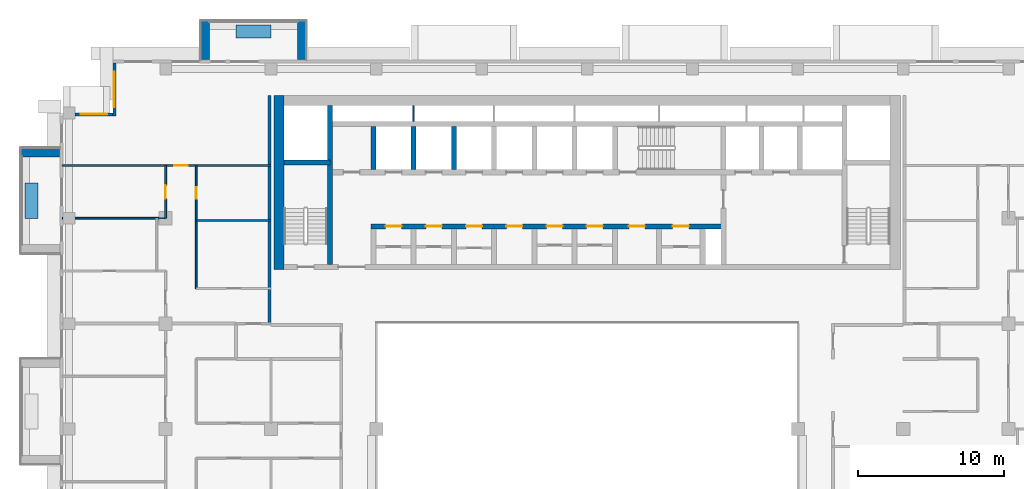
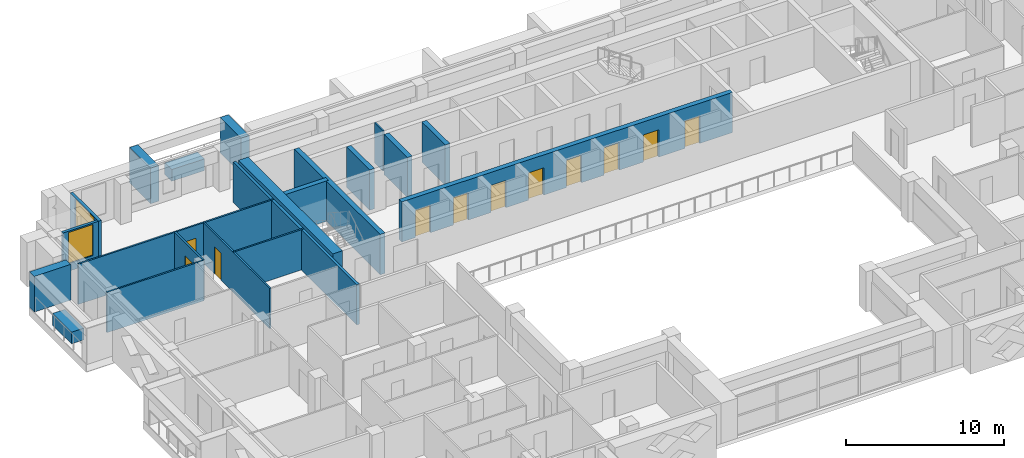
# One storey, part 10 of 20: 21 walls, 11 doors, 2 windows, 13 openings.
"""IFC4 building model written with IfcOpenShell, lengths in metres."""

from ifc_helpers import new_model, si_unit, direction, frame, frame_2d, origin, place, context, subcontext, project, spatial, rectangle, extrude, material, layer, layer_set, type_object, element, fill, save


model = new_model("IFC4")

# Units and contexts
model_context = context("Model", 3, precision=1e-05, world=origin(), true_north=direction((0.0, 1.0)))
body_context = subcontext(model_context, "Body", "Model", "MODEL_VIEW")
ifc_project = project(units=[si_unit("LENGTHUNIT", "METRE"), si_unit("AREAUNIT", "SQUARE_METRE"), si_unit("VOLUMEUNIT", "CUBIC_METRE"), si_unit("PLANEANGLEUNIT", "RADIAN"), si_unit("MASSUNIT", "GRAM", prefix="KILO")], contexts=[model_context])

# Site, building, storey
site_placement = place(None, origin())
site = spatial("IfcSite", under=ifc_project, at=site_placement, CompositionType="ELEMENT")
building_placement = place(site_placement, origin())
building = spatial("IfcBuilding", under=site, at=building_placement, Name="Saffron Iwan Residences", CompositionType="ELEMENT")
storey_placement = place(building_placement, frame((0.0, 0.0, 202.5)))
storey = spatial("IfcBuildingStorey", under=building, at=storey_placement, Name="L54", CompositionType="ELEMENT", Elevation=202.5)

# Walls
ifc_material_1 = material(Name="Concrete C50/60 white painted", Category="concrete")
ifc_layer_1 = layer(ifc_material_1, 0.60009765625)
ifc_layer_set_1 = layer_set([ifc_layer_1], Name="Concrete C50/60 white painted")
wall_type_1 = type_object("IfcWallType", Name="BALCONY FIN 600", PredefinedType="SOLIDWALL", material=ifc_layer_set_1)
for number, where, z_axis, x_axis, name in (
    (1, (30.89990234375, 80.449951171875, 0.0), (0.0, 0.0, 1.0), (0.0, 1.0, 0.0), "Balcony fin L54 F5-3a"),
    (2, (24.300048828125, 80.449951171875, 0.0), (0.0, 0.0, 1.0), (0.0, 1.0, 0.0), "Balcony fin L54 F5-3b"),
    (3, (14.35009765625, 74.10009765625, 0.0), (0.0, 0.0, 1.0), (-1.0, 0.0, 0.0), "Balcony fin L54 F8-0a"),
):
    element("IfcWall", number, at=place(storey_placement, frame(where, z_axis=z_axis, x_axis=x_axis)), inside=storey, type_object=wall_type_1, Name=name, PredefinedType="SOLIDWALL", context=body_context, shape_type="SweptSolid", body=[
        extrude(rectangle(XDim=2.650146484375, YDim=0.60009765625, at=frame_2d((1.3251953125, 0.0))), origin(), (0.0, 0.0, 1.0), 2.75),
    ])
ifc_material_2 = material(Name="Concrete C35/45 white painted", Category="concrete")
ifc_layer_2 = layer(ifc_material_2, 0.14990234375)
ifc_layer_set_2 = layer_set([ifc_layer_2], Name="Concrete C35/45 white painted")
wall_type_2 = type_object("IfcWallType", Name="BALCONY PLANTER", PredefinedType="SOLIDWALL", material=ifc_layer_set_2)
wall_1_placement = place(storey_placement, frame((28.800048828125, 82.375, 0.0), z_axis=(0.0, 0.0, 1.0), x_axis=(-1.0, 0.0, 0.0)))
element("IfcWall", 4, at=wall_1_placement, inside=storey, type_object=wall_type_2, Name="PLANTER L54 F5-3", PredefinedType="SOLIDWALL", context=body_context, shape_type="SweptSolid", body=[
    extrude(rectangle(XDim=2.400146484375, YDim=0.89990234375, at=frame_2d((1.2001953125, 0.0))), origin(), (0.0, 0.0, 1.0), 0.89990234375),
])
wall_2_placement = place(storey_placement, frame((12.425048828125, 72.0, 0.0), z_axis=(0.0, 0.0, 1.0), x_axis=(0.0, -1.0, 0.0)))
element("IfcWall", 5, at=wall_2_placement, inside=storey, type_object=wall_type_2, Name="PLANTER L54 F8-0", PredefinedType="SOLIDWALL", context=body_context, shape_type="SweptSolid", body=[
    extrude(rectangle(XDim=2.39990234375, YDim=0.89990234375, at=frame_2d((1.199951171875, 0.0))), origin(), (0.0, 0.0, 1.0), 0.89990234375),
])

# Wall, opening, window
ifc_material_3 = material(Name="Concrete C40/50", Category="concrete")
ifc_layer_3 = layer(ifc_material_3, 0.199951171875)
ifc_layer_set_3 = layer_set([ifc_layer_3], Name="Concrete C40/50")
wall_type_3 = type_object("IfcWallType", Name="EXTERNAL WALL 200", PredefinedType="SOLIDWALL", material=ifc_layer_set_3)
wall_3_placement = place(storey_placement, frame((18.10009765625, 80.199951171875, 0.0), z_axis=(0.0, 0.0, 1.0), x_axis=(0.0, -1.0, 0.0)))
wall_3 = element("IfcWall", 6, at=wall_3_placement, inside=storey, type_object=wall_type_3, Name="External wall L54 F6.0", PredefinedType="SOLIDWALL", context=body_context, shape_type="SweptSolid", body=[
    extrude(rectangle(XDim=3.599853515625, YDim=0.199951171875, at=frame_2d((1.7998046875, 0.0))), origin(), (0.0, 0.0, 1.0), 3.10009765625),
])
opening_1_placement = place(wall_3_placement, frame((0.60009765625, 0.0, 0.60009765625)))
opening_1 = element("IfcOpeningElement", 7, at=opening_1_placement, cuts=wall_3, Name="Opening W1", PredefinedType="OPENING", context=body_context, shape_type="SweptSolid", body=[
    extrude(rectangle(XDim=2.39990234375, YDim=2.39990234375, at=frame_2d((1.199951171875, 1.199951171875))), frame((0.0, 0.10986328125, 0.0), z_axis=(0.0, -1.0, 0.0), x_axis=(1.0, 0.0, 0.0)), (0.0, 0.0, 1.0), 0.219970703125),
])
ifc_material_4 = material(Name="Clear glass, laminated double glazed", Category="glass")
window_type_1 = type_object("IfcWindowType", Name="WINDOW 2400 x 2400", PartitioningType="DOUBLE_PANEL_VERTICAL", PredefinedType="WINDOW", material=ifc_material_4)
window_1_placement = place(opening_1_placement, origin())
window_1 = element("IfcWindow", 8, at=window_1_placement, inside=storey, type_object=window_type_1, Name="Window L54 F6.0", OverallHeight=2.39990234375, OverallWidth=2.39990234375, PartitioningType="DOUBLE_PANEL_VERTICAL", PredefinedType="WINDOW", context=body_context, shape_type="SweptSolid", body=[
    extrude(rectangle(XDim=2.39990234375, YDim=2.39990234375, at=frame_2d((1.199951171875, 1.199951171875))), frame((0.0, 0.030029296875, 0.0), z_axis=(0.0, -1.0, 0.0), x_axis=(1.0, 0.0, 0.0)), (0.0, 0.0, 1.0), 0.06005859375),
])
fill(opening_1, window_1)

wall_4_placement = place(storey_placement, frame((18.0, 76.699951171875, 0.0), z_axis=(0.0, 0.0, 1.0), x_axis=(-1.0, 0.0, 0.0)))
wall_4 = element("IfcWall", 9, at=wall_4_placement, inside=storey, type_object=wall_type_3, Name="External wall L54 F7.0", PredefinedType="SOLIDWALL", context=body_context, shape_type="SweptSolid", body=[
    extrude(rectangle(XDim=2.60009765625, YDim=0.199951171875, at=frame_2d((1.300048828125, 0.0))), origin(), (0.0, 0.0, 1.0), 3.10009765625),
])
opening_2_placement = place(wall_4_placement, frame((0.39990234375, 0.0, 0.60009765625)))
opening_2 = element("IfcOpeningElement", 10, at=opening_2_placement, cuts=wall_4, Name="Opening W8", PredefinedType="OPENING", context=body_context, shape_type="SweptSolid", body=[
    extrude(rectangle(XDim=1.800048828125, YDim=2.39990234375, at=frame_2d((0.89990234375, 1.199951171875))), frame((0.0, 0.10986328125, 0.0), z_axis=(0.0, -1.0, 0.0), x_axis=(1.0, 0.0, 0.0)), (0.0, 0.0, 1.0), 0.219970703125),
])
window_type_2 = type_object("IfcWindowType", Name="WINDOW 1800 x 2400", PartitioningType="DOUBLE_PANEL_VERTICAL", PredefinedType="WINDOW", material=ifc_material_4)
window_2_placement = place(opening_2_placement, origin())
window_2 = element("IfcWindow", 11, at=window_2_placement, inside=storey, type_object=window_type_2, Name="Window L54 F7.0", OverallHeight=2.39990234375, OverallWidth=1.800048828125, PartitioningType="DOUBLE_PANEL_VERTICAL", PredefinedType="WINDOW", context=body_context, shape_type="SweptSolid", body=[
    extrude(rectangle(XDim=1.800048828125, YDim=2.39990234375, at=frame_2d((0.89990234375, 1.199951171875))), frame((0.0, 0.030029296875, 0.0), z_axis=(0.0, -1.0, 0.0), x_axis=(1.0, 0.0, 0.0)), (0.0, 0.0, 1.0), 0.06005859375),
])
fill(opening_2, window_2)

# Walls
ifc_material_5 = material(Name="Gypsum board partition")
ifc_layer_4 = layer(ifc_material_5, 0.1201171875)
ifc_layer_set_4 = layer_set([ifc_layer_4], Name="Gypsum board partition")
wall_type_4 = type_object("IfcWallType", Name="Flat partition 120", PredefinedType="PARTITIONING", material=ifc_layer_set_4)
wall_5_placement = place(storey_placement, frame((23.699951171875, 69.449951171875, 0.0), z_axis=(0.0, 0.0, 1.0), x_axis=(1.0, 0.0, 0.0)))
element("IfcWall", 12, at=wall_5_placement, inside=storey, type_object=wall_type_4, Name="W-L54-PART-h69.45-23.7", PredefinedType="PARTITIONING", context=body_context, shape_type="SweptSolid", body=[
    extrude(rectangle(XDim=5.10009765625, YDim=0.1201171875, at=frame_2d((2.550048828125, 0.0))), origin(), (0.0, 0.0, 1.0), 3.10009765625),
])
wall_6_placement = place(storey_placement, frame((14.52490234375, 69.60009765625, 0.0), z_axis=(0.0, 0.0, 1.0), x_axis=(1.0, 0.0, 0.0)))
element("IfcWall", 13, at=wall_6_placement, inside=storey, type_object=wall_type_4, Name="W-L54-PART-h69.6-14.525", PredefinedType="PARTITIONING", context=body_context, shape_type="SweptSolid", body=[
    extrude(rectangle(XDim=7.0751953125, YDim=0.1201171875, at=frame_2d((3.53759765625, 0.0))), origin(), (0.0, 0.0, 1.0), 3.10009765625),
])

# Wall, opening, door
wall_7_placement = place(storey_placement, frame((14.52490234375, 73.199951171875, 0.0), z_axis=(0.0, 0.0, 1.0), x_axis=(1.0, 0.0, 0.0)))
wall_7 = element("IfcWall", 14, at=wall_7_placement, inside=storey, type_object=wall_type_4, Name="W-L54-PART-h73.2-14.525", PredefinedType="PARTITIONING", context=body_context, shape_type="SweptSolid", body=[
    extrude(rectangle(XDim=14.275146484375, YDim=0.1201171875, at=frame_2d((7.1376953125, 0.0))), origin(), (0.0, 0.0, 1.0), 3.10009765625),
])
opening_3_placement = place(wall_7_placement, frame((7.675048828125, 0.0, 0.0)))
opening_3 = element("IfcOpeningElement", 15, at=opening_3_placement, cuts=wall_7, Name="Opening FD2", PredefinedType="OPENING", context=body_context, shape_type="SweptSolid", body=[
    extrude(rectangle(XDim=0.89990234375, YDim=2.10009765625, at=frame_2d((0.449951171875, 1.050048828125))), frame((0.0, 0.070068359375, 0.0), z_axis=(0.0, -1.0, 0.0), x_axis=(1.0, 0.0, 0.0)), (0.0, 0.0, 1.0), 0.14013671875),
])
ifc_material_6 = material(Name="Timber door", Category="wood")
door_type_1 = type_object("IfcDoorType", Name="Flat door 900", OperationType="NOTDEFINED", PredefinedType="DOOR", material=ifc_material_6)
door_1_placement = place(opening_3_placement, origin())
door_1 = element("IfcDoor", 16, at=door_1_placement, inside=storey, type_object=door_type_1, Name="Door L54-029", OperationType="SINGLE_SWING_LEFT", OverallHeight=2.10009765625, OverallWidth=0.89990234375, PredefinedType="DOOR", context=body_context, shape_type="SweptSolid", body=[
    extrude(rectangle(XDim=0.89990234375, YDim=2.10009765625, at=frame_2d((0.449951171875, 1.050048828125))), frame((0.0, 0.02490234375, 0.0), z_axis=(0.0, -1.0, 0.0), x_axis=(1.0, 0.0, 0.0)), (0.0, 0.0, 1.0), 0.050048828125),
])
fill(opening_3, door_1)

wall_8_placement = place(storey_placement, frame((21.60009765625, 69.60009765625, 0.0), z_axis=(0.0, 0.0, 1.0), x_axis=(0.0, 1.0, 0.0)))
wall_8 = element("IfcWall", 17, at=wall_8_placement, inside=storey, type_object=wall_type_4, Name="W-L54-PART-v21.6-69.6", PredefinedType="PARTITIONING", context=body_context, shape_type="SweptSolid", body=[
    extrude(rectangle(XDim=3.599853515625, YDim=0.1201171875, at=frame_2d((1.7998046875, 0.0))), origin(), (0.0, 0.0, 1.0), 3.10009765625),
])
opening_4_placement = place(wall_8_placement, frame((1.35009765625, 0.0, 0.0)))
opening_4 = element("IfcOpeningElement", 18, at=opening_4_placement, cuts=wall_8, Name="Opening FD2", PredefinedType="OPENING", context=body_context, shape_type="SweptSolid", body=[
    extrude(rectangle(XDim=0.89990234375, YDim=2.10009765625, at=frame_2d((0.449951171875, 1.050048828125))), frame((0.0, 0.070068359375, 0.0), z_axis=(0.0, -1.0, 0.0), x_axis=(1.0, 0.0, 0.0)), (0.0, 0.0, 1.0), 0.14013671875),
])
door_2_placement = place(opening_4_placement, origin())
door_2 = element("IfcDoor", 19, at=door_2_placement, inside=storey, type_object=door_type_1, Name="Door L54-028", OperationType="SINGLE_SWING_RIGHT", OverallHeight=2.10009765625, OverallWidth=0.89990234375, PredefinedType="DOOR", context=body_context, shape_type="SweptSolid", body=[
    extrude(rectangle(XDim=0.89990234375, YDim=2.10009765625, at=frame_2d((0.449951171875, 1.050048828125))), frame((0.0, 0.02490234375, 0.0), z_axis=(0.0, -1.0, 0.0), x_axis=(1.0, 0.0, 0.0)), (0.0, 0.0, 1.0), 0.050048828125),
])
fill(opening_4, door_2)

wall_9_placement = place(storey_placement, frame((23.699951171875, 64.800048828125, 0.0), z_axis=(0.0, 0.0, 1.0), x_axis=(0.0, 1.0, 0.0)))
wall_9 = element("IfcWall", 20, at=wall_9_placement, inside=storey, type_object=wall_type_4, Name="W-L54-PART-v23.7-64.8", PredefinedType="PARTITIONING", context=body_context, shape_type="SweptSolid", body=[
    extrude(rectangle(XDim=8.39990234375, YDim=0.1201171875, at=frame_2d((4.199951171875, 0.0))), origin(), (0.0, 0.0, 1.0), 3.10009765625),
])
opening_5_placement = place(wall_9_placement, frame((6.125, 0.0, 0.0)))
opening_5 = element("IfcOpeningElement", 21, at=opening_5_placement, cuts=wall_9, Name="Opening FD3", PredefinedType="OPENING", context=body_context, shape_type="SweptSolid", body=[
    extrude(rectangle(XDim=0.800048828125, YDim=2.10009765625, at=frame_2d((0.39990234375, 1.050048828125))), frame((0.0, 0.070068359375, 0.0), z_axis=(0.0, -1.0, 0.0), x_axis=(1.0, 0.0, 0.0)), (0.0, 0.0, 1.0), 0.14013671875),
])
door_type_2 = type_object("IfcDoorType", Name="Bathroom door 800", OperationType="NOTDEFINED", PredefinedType="DOOR", material=ifc_material_6)
door_3_placement = place(opening_5_placement, origin())
door_3 = element("IfcDoor", 22, at=door_3_placement, inside=storey, type_object=door_type_2, Name="Door L54-031", OperationType="SINGLE_SWING_RIGHT", OverallHeight=2.10009765625, OverallWidth=0.800048828125, PredefinedType="DOOR", context=body_context, shape_type="SweptSolid", body=[
    extrude(rectangle(XDim=0.800048828125, YDim=2.10009765625, at=frame_2d((0.39990234375, 1.050048828125))), frame((0.0, 0.02490234375, 0.0), z_axis=(0.0, -1.0, 0.0), x_axis=(1.0, 0.0, 0.0)), (0.0, 0.0, 1.0), 0.050048828125),
])
fill(opening_5, door_3)

# Walls
ifc_material_7 = material(Name="Fire-rated gypsum board wall")
ifc_layer_5 = layer(ifc_material_7, 0.199951171875)
ifc_layer_set_5 = layer_set([ifc_layer_5], Name="Fire-rated gypsum board wall")
wall_type_5 = type_object("IfcWallType", Name="Gallery wall 200", PredefinedType="SOLIDWALL", material=ifc_layer_set_5)
wall_10_placement = place(storey_placement, frame((28.699951171875, 62.39990234375, 0.0), z_axis=(0.0, 0.0, 1.0), x_axis=(0.0, 1.0, 0.0)))
element("IfcWall", 23, at=wall_10_placement, inside=storey, type_object=wall_type_5, Name="W-L54-CORR-v28.8-62.4", PredefinedType="SOLIDWALL", context=body_context, shape_type="SweptSolid", body=[
    extrude(rectangle(XDim=15.60009765625, YDim=0.199951171875, at=frame_2d((7.800048828125, 0.0))), origin(), (0.0, 0.0, 1.0), 3.10009765625),
])
ifc_material_8 = material(Name="Fire-rated plasterboard partition")
ifc_layer_6 = layer(ifc_material_8, 0.10009765625)
ifc_layer_set_6 = layer_set([ifc_layer_6], Name="Fire-rated plasterboard partition")
wall_type_6 = type_object("IfcWallType", Name="Riser partition 100", PredefinedType="PARTITIONING", material=ifc_layer_set_6)
wall_11_placement = place(storey_placement, frame((38.550048828125, 76.22509765625, 0.0), z_axis=(0.0, 0.0, 1.0), x_axis=(0.0, 1.0, 0.0)))
element("IfcWall", 24, at=wall_11_placement, inside=storey, type_object=wall_type_6, Name="Core partition P07", PredefinedType="PARTITIONING", context=body_context, shape_type="SweptSolid", body=[
    extrude(rectangle(XDim=1.074951171875, YDim=0.10009765625, at=frame_2d((0.53759765625, 0.0))), origin(), (0.0, 0.0, 1.0), 3.10009765625),
])

# Wall, openings, doors
ifc_material_9 = material(Name="Concrete C50/60", Category="concrete")
ifc_layer_7 = layer(ifc_material_9, 0.35009765625)
ifc_layer_set_7 = layer_set([ifc_layer_7], Name="Concrete C50/60")
wall_type_7 = type_object("IfcWallType", Name="WALL CORE 350 C50/60 3100 HIGH", PredefinedType="SHEAR", material=ifc_layer_set_7)
wall_12_placement = place(storey_placement, frame((35.625, 69.050048828125, 0.0), z_axis=(0.0, 0.0, 1.0), x_axis=(1.0, 0.0, 0.0)))
wall_12 = element("IfcWall", 25, at=wall_12_placement, inside=storey, type_object=wall_type_7, Name="Core wall", PredefinedType="SHEAR", context=body_context, shape_type="SweptSolid", body=[
    extrude(rectangle(XDim=24.10009765625, YDim=0.35009765625, at=frame_2d((12.050048828125, 0.0))), origin(), (0.0, 0.0, 1.0), 3.10009765625),
])
opening_6_placement = place(wall_12_placement, frame((1.0, 0.0, 0.0)))
opening_6 = element("IfcOpeningElement", 26, at=opening_6_placement, cuts=wall_12, Name="Opening SR", PredefinedType="OPENING", context=body_context, shape_type="SweptSolid", body=[
    extrude(rectangle(XDim=1.10009765625, YDim=2.10009765625, at=frame_2d((0.550048828125, 1.050048828125))), frame((0.0, 0.18505859375, 0.0), z_axis=(0.0, -1.0, 0.0), x_axis=(1.0, 0.0, 0.0)), (0.0, 0.0, 1.0), 0.3701171875),
])
opening_7_placement = place(wall_12_placement, frame((3.75, 0.0, 0.0)))
opening_7 = element("IfcOpeningElement", 27, at=opening_7_placement, cuts=wall_12, Name="Opening SR", PredefinedType="OPENING", context=body_context, shape_type="SweptSolid", body=[
    extrude(rectangle(XDim=1.10009765625, YDim=2.10009765625, at=frame_2d((0.550048828125, 1.050048828125))), frame((0.0, 0.18505859375, 0.0), z_axis=(0.0, -1.0, 0.0), x_axis=(1.0, 0.0, 0.0)), (0.0, 0.0, 1.0), 0.3701171875),
])
opening_8_placement = place(wall_12_placement, frame((6.5, 0.0, 0.0)))
opening_8 = element("IfcOpeningElement", 28, at=opening_8_placement, cuts=wall_12, Name="Opening SR", PredefinedType="OPENING", context=body_context, shape_type="SweptSolid", body=[
    extrude(rectangle(XDim=1.10009765625, YDim=2.10009765625, at=frame_2d((0.550048828125, 1.050048828125))), frame((0.0, 0.18505859375, 0.0), z_axis=(0.0, -1.0, 0.0), x_axis=(1.0, 0.0, 0.0)), (0.0, 0.0, 1.0), 0.3701171875),
])
opening_9_placement = place(wall_12_placement, frame((9.25, 0.0, 0.0)))
opening_9 = element("IfcOpeningElement", 29, at=opening_9_placement, cuts=wall_12, Name="Opening SR", PredefinedType="OPENING", context=body_context, shape_type="SweptSolid", body=[
    extrude(rectangle(XDim=1.10009765625, YDim=2.10009765625, at=frame_2d((0.550048828125, 1.050048828125))), frame((0.0, 0.18505859375, 0.0), z_axis=(0.0, -1.0, 0.0), x_axis=(1.0, 0.0, 0.0)), (0.0, 0.0, 1.0), 0.3701171875),
])
opening_10_placement = place(wall_12_placement, frame((12.0, 0.0, 0.0)))
opening_10 = element("IfcOpeningElement", 30, at=opening_10_placement, cuts=wall_12, Name="Opening SR", PredefinedType="OPENING", context=body_context, shape_type="SweptSolid", body=[
    extrude(rectangle(XDim=1.10009765625, YDim=2.10009765625, at=frame_2d((0.550048828125, 1.050048828125))), frame((0.0, 0.18505859375, 0.0), z_axis=(0.0, -1.0, 0.0), x_axis=(1.0, 0.0, 0.0)), (0.0, 0.0, 1.0), 0.3701171875),
])
opening_11_placement = place(wall_12_placement, frame((14.75, 0.0, 0.0)))
opening_11 = element("IfcOpeningElement", 31, at=opening_11_placement, cuts=wall_12, Name="Opening SR", PredefinedType="OPENING", context=body_context, shape_type="SweptSolid", body=[
    extrude(rectangle(XDim=1.10009765625, YDim=2.10009765625, at=frame_2d((0.550048828125, 1.050048828125))), frame((0.0, 0.18505859375, 0.0), z_axis=(0.0, -1.0, 0.0), x_axis=(1.0, 0.0, 0.0)), (0.0, 0.0, 1.0), 0.3701171875),
])
opening_12_placement = place(wall_12_placement, frame((17.625, 0.0, 0.0)))
opening_12 = element("IfcOpeningElement", 32, at=opening_12_placement, cuts=wall_12, Name="Opening SR", PredefinedType="OPENING", context=body_context, shape_type="SweptSolid", body=[
    extrude(rectangle(XDim=1.10009765625, YDim=2.10009765625, at=frame_2d((0.550048828125, 1.050048828125))), frame((0.0, 0.18505859375, 0.0), z_axis=(0.0, -1.0, 0.0), x_axis=(1.0, 0.0, 0.0)), (0.0, 0.0, 1.0), 0.3701171875),
])
opening_13_placement = place(wall_12_placement, frame((20.625, 0.0, 0.0)))
opening_13 = element("IfcOpeningElement", 33, at=opening_13_placement, cuts=wall_12, Name="Opening SR", PredefinedType="OPENING", context=body_context, shape_type="SweptSolid", body=[
    extrude(rectangle(XDim=1.10009765625, YDim=2.10009765625, at=frame_2d((0.550048828125, 1.050048828125))), frame((0.0, 0.18505859375, 0.0), z_axis=(0.0, -1.0, 0.0), x_axis=(1.0, 0.0, 0.0)), (0.0, 0.0, 1.0), 0.3701171875),
])
ifc_material_10 = material(Name="Steel fire door", Category="steel")
door_type_3 = type_object("IfcDoorType", Name="Service door 1100", OperationType="NOTDEFINED", PredefinedType="DOOR", material=ifc_material_10)
door_4_placement = place(opening_6_placement, origin())
door_4 = element("IfcDoor", 34, at=door_4_placement, inside=storey, type_object=door_type_3, Name="Door Pantry", OperationType="SINGLE_SWING_RIGHT", OverallHeight=2.10009765625, OverallWidth=1.10009765625, PredefinedType="DOOR", context=body_context, shape_type="SweptSolid", body=[
    extrude(rectangle(XDim=1.10009765625, YDim=2.10009765625, at=frame_2d((0.550048828125, 1.050048828125))), frame((0.0, 0.02490234375, 0.0), z_axis=(0.0, -1.0, 0.0), x_axis=(1.0, 0.0, 0.0)), (0.0, 0.0, 1.0), 0.050048828125),
])
fill(opening_6, door_4)
door_5_placement = place(opening_7_placement, origin())
door_5 = element("IfcDoor", 35, at=door_5_placement, inside=storey, type_object=door_type_3, Name="Door Electrical room", OperationType="SINGLE_SWING_LEFT", OverallHeight=2.10009765625, OverallWidth=1.10009765625, PredefinedType="DOOR", context=body_context, shape_type="SweptSolid", body=[
    extrude(rectangle(XDim=1.10009765625, YDim=2.10009765625, at=frame_2d((0.550048828125, 1.050048828125))), frame((0.0, 0.02490234375, 0.0), z_axis=(0.0, -1.0, 0.0), x_axis=(1.0, 0.0, 0.0)), (0.0, 0.0, 1.0), 0.050048828125),
])
fill(opening_7, door_5)
door_6_placement = place(opening_8_placement, origin())
door_6 = element("IfcDoor", 36, at=door_6_placement, inside=storey, type_object=door_type_3, Name="Door Luggage store", OperationType="SINGLE_SWING_RIGHT", OverallHeight=2.10009765625, OverallWidth=1.10009765625, PredefinedType="DOOR", context=body_context, shape_type="SweptSolid", body=[
    extrude(rectangle(XDim=1.10009765625, YDim=2.10009765625, at=frame_2d((0.550048828125, 1.050048828125))), frame((0.0, 0.02490234375, 0.0), z_axis=(0.0, -1.0, 0.0), x_axis=(1.0, 0.0, 0.0)), (0.0, 0.0, 1.0), 0.050048828125),
])
fill(opening_8, door_6)
door_7_placement = place(opening_9_placement, origin())
door_7 = element("IfcDoor", 37, at=door_7_placement, inside=storey, type_object=door_type_3, Name="Door Refuse store", OperationType="SINGLE_SWING_LEFT", OverallHeight=2.10009765625, OverallWidth=1.10009765625, PredefinedType="DOOR", context=body_context, shape_type="SweptSolid", body=[
    extrude(rectangle(XDim=1.10009765625, YDim=2.10009765625, at=frame_2d((0.550048828125, 1.050048828125))), frame((0.0, 0.02490234375, 0.0), z_axis=(0.0, -1.0, 0.0), x_axis=(1.0, 0.0, 0.0)), (0.0, 0.0, 1.0), 0.050048828125),
])
fill(opening_9, door_7)
door_8_placement = place(opening_10_placement, origin())
door_8 = element("IfcDoor", 38, at=door_8_placement, inside=storey, type_object=door_type_3, Name="Door Maintenance store", OperationType="SINGLE_SWING_RIGHT", OverallHeight=2.10009765625, OverallWidth=1.10009765625, PredefinedType="DOOR", context=body_context, shape_type="SweptSolid", body=[
    extrude(rectangle(XDim=1.10009765625, YDim=2.10009765625, at=frame_2d((0.550048828125, 1.050048828125))), frame((0.0, 0.02490234375, 0.0), z_axis=(0.0, -1.0, 0.0), x_axis=(1.0, 0.0, 0.0)), (0.0, 0.0, 1.0), 0.050048828125),
])
fill(opening_10, door_8)
door_9_placement = place(opening_11_placement, origin())
door_9 = element("IfcDoor", 39, at=door_9_placement, inside=storey, type_object=door_type_3, Name="Door Linen store", OperationType="SINGLE_SWING_LEFT", OverallHeight=2.10009765625, OverallWidth=1.10009765625, PredefinedType="DOOR", context=body_context, shape_type="SweptSolid", body=[
    extrude(rectangle(XDim=1.10009765625, YDim=2.10009765625, at=frame_2d((0.550048828125, 1.050048828125))), frame((0.0, 0.02490234375, 0.0), z_axis=(0.0, -1.0, 0.0), x_axis=(1.0, 0.0, 0.0)), (0.0, 0.0, 1.0), 0.050048828125),
])
fill(opening_11, door_9)
door_10_placement = place(opening_12_placement, origin())
door_10 = element("IfcDoor", 40, at=door_10_placement, inside=storey, type_object=door_type_3, Name="Door Trolley store", OperationType="SINGLE_SWING_RIGHT", OverallHeight=2.10009765625, OverallWidth=1.10009765625, PredefinedType="DOOR", context=body_context, shape_type="SweptSolid", body=[
    extrude(rectangle(XDim=1.10009765625, YDim=2.10009765625, at=frame_2d((0.550048828125, 1.050048828125))), frame((0.0, 0.02490234375, 0.0), z_axis=(0.0, -1.0, 0.0), x_axis=(1.0, 0.0, 0.0)), (0.0, 0.0, 1.0), 0.050048828125),
])
fill(opening_12, door_10)
door_11_placement = place(opening_13_placement, origin())
door_11 = element("IfcDoor", 41, at=door_11_placement, inside=storey, type_object=door_type_3, Name="Door Communications room", OperationType="SINGLE_SWING_RIGHT", OverallHeight=2.10009765625, OverallWidth=1.10009765625, PredefinedType="DOOR", context=body_context, shape_type="SweptSolid", body=[
    extrude(rectangle(XDim=1.10009765625, YDim=2.10009765625, at=frame_2d((0.550048828125, 1.050048828125))), frame((0.0, 0.02490234375, 0.0), z_axis=(0.0, -1.0, 0.0), x_axis=(1.0, 0.0, 0.0)), (0.0, 0.0, 1.0), 0.050048828125),
])
fill(opening_13, door_11)

# Walls
wall_13_placement = place(storey_placement, frame((29.699951171875, 73.425048828125, 0.0), z_axis=(0.0, 0.0, 1.0), x_axis=(1.0, 0.0, 0.0)))
element("IfcWall", 42, at=wall_13_placement, inside=storey, type_object=wall_type_7, Name="Core wall", PredefinedType="SHEAR", context=body_context, shape_type="SweptSolid", body=[
    extrude(rectangle(XDim=3.125, YDim=0.35009765625, at=frame_2d((1.5625, 0.0))), origin(), (0.0, 0.0, 1.0), 3.10009765625),
])
wall_14_placement = place(storey_placement, frame((32.824951171875, 66.449951171875, 0.0), z_axis=(0.0, 0.0, 1.0), x_axis=(0.0, 1.0, 0.0)))
element("IfcWall", 43, at=wall_14_placement, inside=storey, type_object=wall_type_7, Name="Core wall", PredefinedType="SHEAR", context=body_context, shape_type="SweptSolid", body=[
    extrude(rectangle(XDim=10.85009765625, YDim=0.35009765625, at=frame_2d((5.425048828125, 0.0))), origin(), (0.0, 0.0, 1.0), 3.10009765625),
])
for number, where, z_axis, x_axis, name in (
    (44, (35.800048828125, 72.925048828125, 0.0), (0.0, 0.0, 1.0), (0.0, 1.0, 0.0), "Core wall"),
    (45, (38.550048828125, 72.925048828125, 0.0), (0.0, 0.0, 1.0), (0.0, 1.0, 0.0), "Core wall"),
    (46, (41.300048828125, 72.925048828125, 0.0), (0.0, 0.0, 1.0), (0.0, 1.0, 0.0), "Core wall"),
):
    element("IfcWall", number, at=place(storey_placement, frame(where, z_axis=z_axis, x_axis=x_axis)), inside=storey, type_object=wall_type_7, Name=name, PredefinedType="SHEAR", context=body_context, shape_type="SweptSolid", body=[
        extrude(rectangle(XDim=2.949951171875, YDim=0.35009765625, at=frame_2d((1.47509765625, 0.0))), origin(), (0.0, 0.0, 1.0), 3.10009765625),
    ])
ifc_layer_8 = layer(ifc_material_9, 0.699951171875)
ifc_layer_set_8 = layer_set([ifc_layer_8], Name="Concrete C50/60")
wall_type_8 = type_object("IfcWallType", Name="WALL CORE 700 C50/60 3100 HIGH", PredefinedType="SHEAR", material=ifc_layer_set_8)
wall_15_placement = place(storey_placement, frame((29.35009765625, 66.10009765625, 0.0), z_axis=(0.0, 0.0, 1.0), x_axis=(0.0, 1.0, 0.0)))
element("IfcWall", 47, at=wall_15_placement, inside=storey, type_object=wall_type_8, Name="Core wall", PredefinedType="SHEAR", context=body_context, shape_type="SweptSolid", body=[
    extrude(rectangle(XDim=11.89990234375, YDim=0.699951171875, at=frame_2d((5.949951171875, 0.0))), origin(), (0.0, 0.0, 1.0), 3.10009765625),
])

save(model, "model.ifc")
